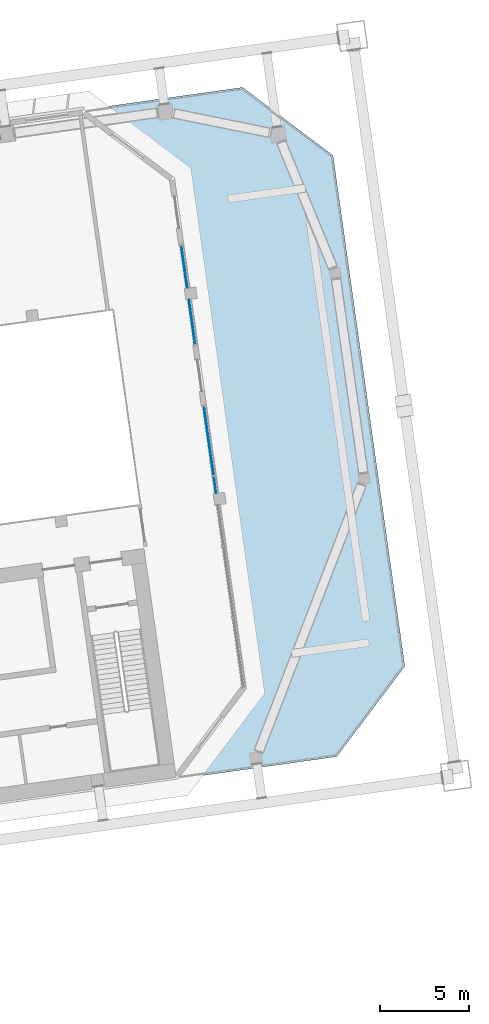
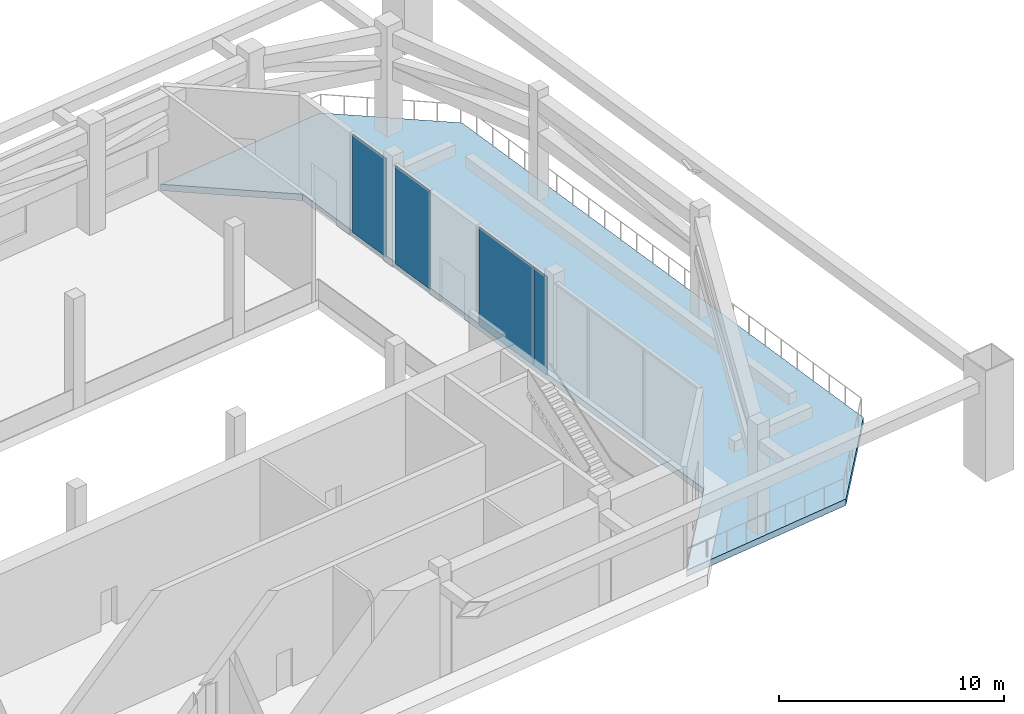
# One storey, part 19 of 41: 4 plates, 1 slab, 2 elements without a shape of their own.
"""IFC4 building model written with IfcOpenShell, lengths in metres."""

from ifc_helpers import new_model, si_unit, direction, frame, origin, origin_2d, place, context, subcontext, project, spatial, polyline, rectangle, outline, extrude, material, layer, layer_set, type_object, element, aggregate, save


model = new_model("IFC4")

# Units and contexts
model_context = context("Model", 3, precision=1e-05, world=origin(), true_north=direction((0.0, 1.0)))
body_context = subcontext(model_context, "Body", "Model", "MODEL_VIEW")
ifc_project = project(units=[si_unit("LENGTHUNIT", "METRE"), si_unit("AREAUNIT", "SQUARE_METRE"), si_unit("VOLUMEUNIT", "CUBIC_METRE"), si_unit("PLANEANGLEUNIT", "RADIAN"), si_unit("MASSUNIT", "GRAM", prefix="KILO")], contexts=[model_context])

# Site, building, storey
site_placement = place(None, origin())
site = spatial("IfcSite", under=ifc_project, at=site_placement, CompositionType="ELEMENT")
building_placement = place(site_placement, origin())
building = spatial("IfcBuilding", under=site, at=building_placement, Name="Mirante Cascada Hotel Towers", CompositionType="ELEMENT")
storey_placement = place(building_placement, frame((0.0, 0.0, 92.7)))
storey = spatial("IfcBuildingStorey", under=building, at=storey_placement, Name="L20", CompositionType="ELEMENT", Elevation=92.7)

# Curtain wall, plates
ifc_material_1 = material(Name="Aluminium mullion and transom frame with clear laminated glass", Category="aluminium")
curtain_wall_type = type_object("IfcCurtainWallType", Name="Sky garden curtain wall ECW4", PredefinedType="NOTDEFINED", material=ifc_material_1)
curtain_wall_1_placement = place(storey_placement, origin())
curtain_wall_1 = element("IfcCurtainWall", 1, at=curtain_wall_1_placement, inside=storey, type_object=curtain_wall_type, Name="Sky garden wall T2 L20 run 1", PredefinedType="NOTDEFINED")
ifc_material_2 = material(Name="Clear laminated glass", Category="glass")
ifc_layer_1 = layer(ifc_material_2, 0.038)
ifc_layer_set_1 = layer_set([ifc_layer_1], Name="ECW4 glass panel 38")
plate_type = type_object("IfcPlateType", Name="ECW4 glass panel 38", PredefinedType="CURTAIN_PANEL", material=ifc_layer_set_1)
plate_1_placement = place(storey_placement, frame((92.6438, 3.8619, 0.11), z_axis=(0.0, 0.0, 1.0), x_axis=(-0.1391731, 0.9902681, 0.0)))
plate_1 = element("IfcPlate", 2, at=plate_1_placement, type_object=plate_type, Name="ECW4 panel 3", PredefinedType="CURTAIN_PANEL", context=body_context, shape_type="SweptSolid", body=[
    extrude(rectangle(XDim=0.933, YDim=0.038, at=origin_2d()), origin(), (0.0, 0.0, 1.0), 5.33),
])
plate_2_placement = place(storey_placement, frame((92.2973, 6.3277, 0.11), z_axis=(0.0, 0.0, 1.0), x_axis=(-0.1391731, 0.9902681, 0.0)))
plate_2 = element("IfcPlate", 3, at=plate_2_placement, type_object=plate_type, Name="ECW4 panel 4", PredefinedType="CURTAIN_PANEL", context=body_context, shape_type="SweptSolid", body=[
    extrude(rectangle(XDim=3.897, YDim=0.038, at=origin_2d()), origin(), (0.0, 0.0, 1.0), 5.33),
])
aggregate(curtain_wall_1, [plate_1, plate_2])

curtain_wall_2_placement = place(storey_placement, origin())
curtain_wall_2 = element("IfcCurtainWall", 4, at=curtain_wall_2_placement, inside=storey, type_object=curtain_wall_type, Name="Sky garden wall T2 L20 run 3", PredefinedType="NOTDEFINED")
plate_3_placement = place(storey_placement, frame((91.3577, 13.013, 0.11), z_axis=(0.0, 0.0, 1.0), x_axis=(-0.1391731, 0.9902681, 0.0)))
plate_3 = element("IfcPlate", 5, at=plate_3_placement, type_object=plate_type, Name="ECW4 panel 1", PredefinedType="CURTAIN_PANEL", context=body_context, shape_type="SweptSolid", body=[
    extrude(rectangle(XDim=2.505, YDim=0.038, at=origin_2d()), origin(), (0.0, 0.0, 1.0), 5.33),
])
plate_4_placement = place(storey_placement, frame((90.9209, 16.1213, 0.11), z_axis=(0.0, 0.0, 1.0), x_axis=(-0.1391731, 0.9902681, 0.0)))
plate_4 = element("IfcPlate", 6, at=plate_4_placement, type_object=plate_type, Name="ECW4 panel 1", PredefinedType="CURTAIN_PANEL", context=body_context, shape_type="SweptSolid", body=[
    extrude(rectangle(XDim=2.3929, YDim=0.038, at=origin_2d()), origin(), (0.0, 0.0, 1.0), 5.33),
])
aggregate(curtain_wall_2, [plate_3, plate_4])

# Slab
ifc_material_3 = material(Name="Concrete C40/50", Category="concrete")
ifc_layer_2 = layer(ifc_material_3, 0.35)
ifc_layer_set_2 = layer_set([ifc_layer_2], Name="Terrace slab 350 Concrete C40/50")
slab_type = type_object("IfcSlabType", Name="Terrace slab 350 Concrete C40/50", PredefinedType="FLOOR", material=ifc_layer_set_2)
slab_placement = place(storey_placement, frame((0.0, 0.0, -0.35)))
element("IfcSlab", 7, at=slab_placement, inside=storey, type_object=slab_type, Name="Terrace T2 L20", PredefinedType="FLOOR", context=body_context, shape_type="SweptSolid", body=[
    extrude(outline(polyline([(94.1988, 26.2093), (99.2813, 22.3794), (103.3173, -6.3384), (99.4874, -11.4209), (90.575, -12.6735), (94.4049, -7.591), (90.3689, 21.1268), (85.2864, 24.9567), (94.1988, 26.2093)])), origin(), (0.0, 0.0, 1.0), 0.35),
])

save(model, "model.ifc")
